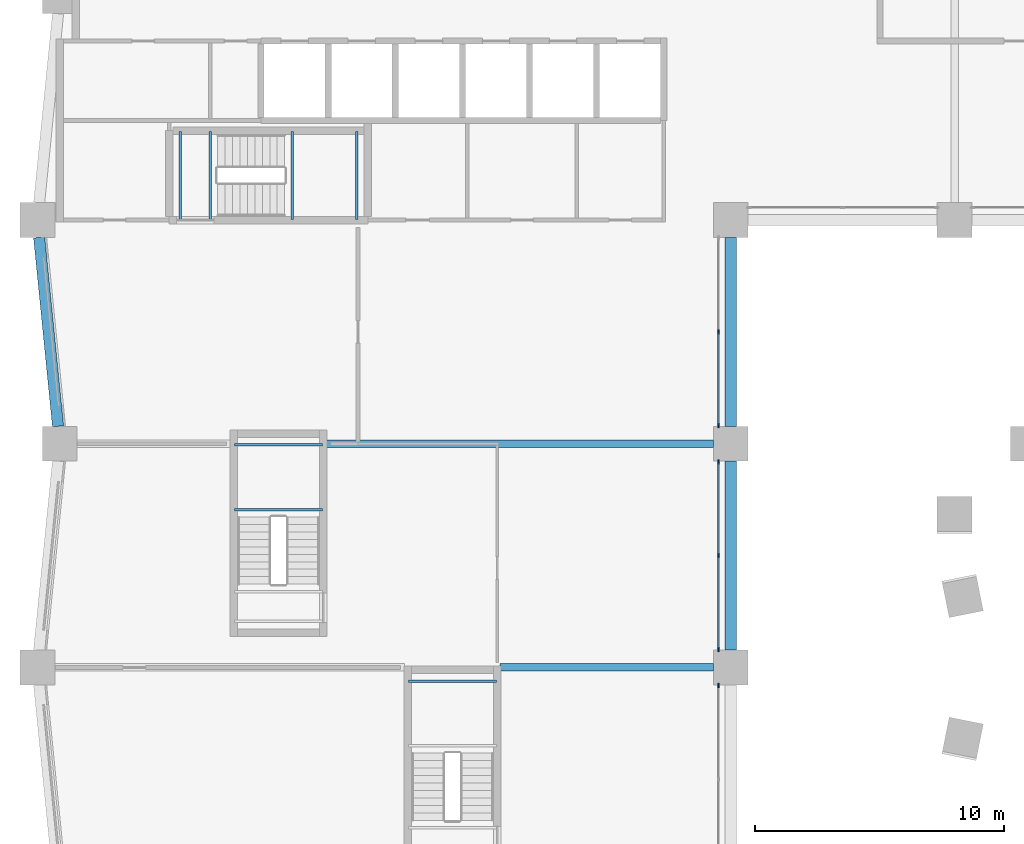
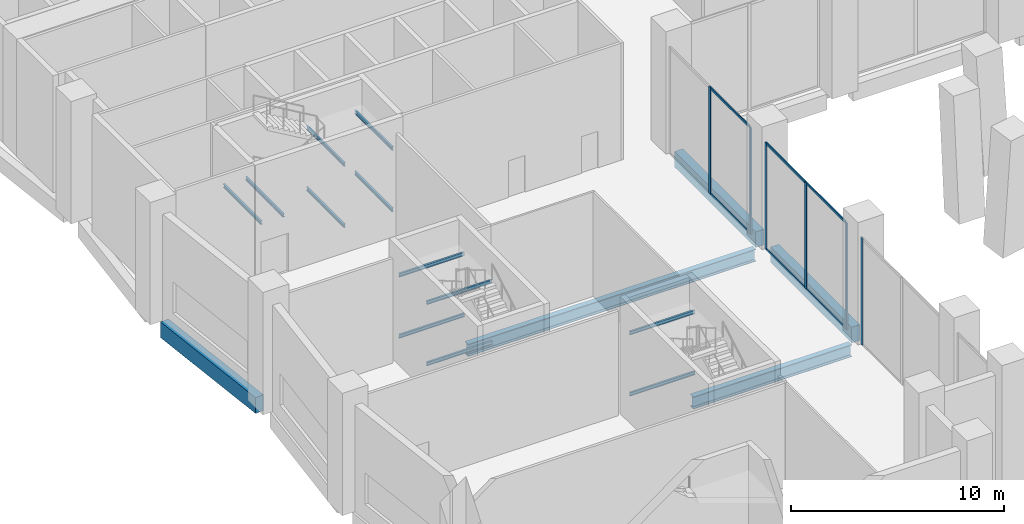
# One storey, part 3 of 18: 17 beams, 12 members, 3 elements without a shape of their own.
"""IFC4 building model written with IfcOpenShell, lengths in metres."""

import ifcopenshell
import ifcopenshell.guid

model = None  # the IFC model being written
_history = None  # IfcOwnerHistory: only IFC2X3 demands one
_inside = {}  # id of a spatial element -> (the spatial element, [elements in it])
_under = {}  # id of a project, library or spatial element -> (it, [spatial elements below it])
_declared = {}  # id of a project -> (the project, [libraries it declares])
_typed = {}  # id of a type object -> (the type object, [elements of that type])
_made_of = {}  # id of a material, layer set ... -> (it, [elements and type objects made of it])


def new_model(schema):
    """Start an empty IFC model of exactly this schema.

    Asked for "IFC4X3", IfcOpenShell would pick the latest addendum, in which some entities
    have other attributes; the version numbers below select the first issue.
    IFC2X3 requires an IfcOwnerHistory on every rooted entity: one is made here for all.
    """
    global model, _history
    if schema == "IFC4X3":
        model = ifcopenshell.file(schema_version=(4, 3, 0, 0))
    else:
        model = ifcopenshell.file(schema=schema)
    _inside.clear()
    _under.clear()
    _declared.clear()
    _typed.clear()
    _made_of.clear()
    _history = None
    if model.schema == "IFC2X3":
        org = make("IfcOrganization", Name="unknown")
        user = make(
            "IfcPersonAndOrganization",
            ThePerson=make("IfcPerson", FamilyName="unknown"),
            TheOrganization=org,
        )
        app = make(
            "IfcApplication",
            ApplicationDeveloper=org,
            Version="unknown",
            ApplicationFullName="unknown",
            ApplicationIdentifier="unknown",
        )
        _history = make(
            "IfcOwnerHistory",
            OwningUser=user,
            OwningApplication=app,
            ChangeAction="ADDED",
            CreationDate=0,
        )
    return model


def make(cls, **values):
    """One entity of the class cls with the attributes given. An attribute that is None is left unset."""
    return model.create_entity(
        cls, **{name: value for name, value in values.items() if value is not None}
    )


def rooted(cls, **values):
    """An entity with a GlobalId (a new one), such as an element, a storey or a relation."""
    return make(cls, GlobalId=ifcopenshell.guid.new(), OwnerHistory=_history, **values)


def si_unit(unit_type, name, prefix=None):
    """IfcSIUnit, for example si_unit("LENGTHUNIT", "METRE", prefix="MILLI")."""
    return make("IfcSIUnit", UnitType=unit_type, Prefix=prefix, Name=name)


def assignment(units):
    """IfcUnitAssignment: the units of a project."""
    return None if units is None else make("IfcUnitAssignment", Units=units)


def point(xyz):
    """IfcCartesianPoint."""
    return None if xyz is None else make("IfcCartesianPoint", Coordinates=xyz)


def direction(xyz):
    """IfcDirection."""
    return None if xyz is None else make("IfcDirection", DirectionRatios=xyz)


def frame(location, z_axis=None, x_axis=None):
    """IfcAxis2Placement3D, a coordinate frame: its origin and axes. An axis left out is left unset."""
    return make(
        "IfcAxis2Placement3D",
        Location=point(location),
        Axis=direction(z_axis),
        RefDirection=direction(x_axis),
    )


def frame_2d(location, x_axis=None):
    """IfcAxis2Placement2D, a coordinate frame in the plane: its origin and x axis."""
    return make(
        "IfcAxis2Placement2D", Location=point(location), RefDirection=direction(x_axis)
    )


def origin():
    """The frame at (0, 0, 0) with its axes left unset."""
    return frame((0.0, 0.0, 0.0))


def origin_2d():
    """The frame at (0, 0) in the plane with its x axis left unset."""
    return frame_2d((0.0, 0.0))


def place(relative_to, where):
    """IfcLocalPlacement: puts the frame where relative to a parent placement (None: the world)."""
    return make(
        "IfcLocalPlacement", PlacementRelTo=relative_to, RelativePlacement=where
    )


def context(
    kind, dimensions, precision=None, world=None, true_north=None, identifier=None
):
    """IfcGeometricRepresentationContext, for example the 3D "Model" context."""
    return make(
        "IfcGeometricRepresentationContext",
        ContextIdentifier=identifier,
        ContextType=kind,
        CoordinateSpaceDimension=dimensions,
        Precision=precision,
        WorldCoordinateSystem=world,
        TrueNorth=true_north,
    )


def subcontext(parent, identifier, kind, view, scale=None):
    """IfcGeometricRepresentationSubContext, for example "Body" below "Model"."""
    return make(
        "IfcGeometricRepresentationSubContext",
        ContextIdentifier=identifier,
        ContextType=kind,
        ParentContext=parent,
        TargetScale=scale,
        TargetView=view,
    )


def project(units=None, contexts=None):
    """IfcProject with its units and contexts."""
    return rooted(
        "IfcProject",
        Name="project",
        RepresentationContexts=contexts,
        UnitsInContext=assignment(units),
    )


def spatial(cls, under=None, at=None, **own):
    """A site, building, storey or space (cls), placed at a placement, below another one or the project."""
    s = rooted(cls, ObjectPlacement=at, **own)
    if under is not None:
        _under.setdefault(under.id(), (under, []))[1].append(s)
    return s


def profile(cls, at=None, kind="AREA", **sizes):
    """A parametric profile (cls). Its sizes go by their IFC names, for example OverallWidth=200.0."""
    return make(cls, ProfileType=kind, Position=at, **sizes)


def rectangle(**sizes):
    """IfcRectangleProfileDef."""
    return profile("IfcRectangleProfileDef", **sizes)


def i_section(**sizes):
    """IfcIShapeProfileDef."""
    return profile("IfcIShapeProfileDef", **sizes)


def extrude(swept, where, along, depth):
    """IfcExtrudedAreaSolid: the profile swept, set in the frame where, extruded along a direction by depth."""
    return make(
        "IfcExtrudedAreaSolid",
        SweptArea=swept,
        Position=where,
        ExtrudedDirection=direction(along),
        Depth=depth,
    )


def shape(context_of_items, identifier, shape_type, items):
    """IfcShapeRepresentation: the items that make up one representation, for example the "Body"."""
    return make(
        "IfcShapeRepresentation",
        ContextOfItems=context_of_items,
        RepresentationIdentifier=identifier,
        RepresentationType=shape_type,
        Items=items,
    )


def material(Name=None, Category=None):
    """IfcMaterial."""
    return make("IfcMaterial", Name=Name, Category=Category)


def material_profile(
    of_material, cross_section, Name=None, Category=None, Priority=None
):
    """IfcMaterialProfile: a cross section and its material."""
    return make(
        "IfcMaterialProfile",
        Name=Name,
        Material=of_material,
        Profile=cross_section,
        Priority=Priority,
        Category=Category,
    )


def profile_set(profiles, Name=None, composite=None):
    """IfcMaterialProfileSet."""
    return make(
        "IfcMaterialProfileSet",
        Name=Name,
        MaterialProfiles=profiles,
        CompositeProfile=composite,
    )


def made_of(thing, what):
    """Note that an element or type object is made of a material, layer set ...; save() writes the relation."""
    if what is not None:
        _made_of.setdefault(what.id(), (what, []))[1].append(thing)
    return thing


def type_object(cls, material=None, **own):
    """A type object (cls), such as IfcWallType, which elements share."""
    return made_of(rooted(cls, **own), material)


def element(
    cls,
    number,
    at=None,
    inside=None,
    cuts=None,
    type_object=None,
    material=None,
    context=None,
    identifier="Body",
    shape_type=None,
    held_by="IfcProductDefinitionShape",
    body=None,
    shapes=None,
    **own,
):
    """One element of the class cls, such as IfcWall. Its Tag is "e" and its number.

    at: its placement. inside: the storey or other place that contains it. cuts: it is an
    opening in that element (IfcRelVoidsElement). A single representation is given by context,
    identifier, shape_type and body (its items); several are given by shapes. held_by: the class
    of the entity that holds the representations. save() writes the other relations.
    """
    e = rooted(cls, Tag="e%d" % number, ObjectPlacement=at, **own)
    if body is not None:
        shapes = [shape(context, identifier, shape_type, body)]
    if shapes is not None:
        e.Representation = make(held_by, Representations=shapes)
    if inside is not None:
        _inside.setdefault(inside.id(), (inside, []))[1].append(e)
    if cuts is not None:
        rooted(
            "IfcRelVoidsElement", RelatingBuildingElement=cuts, RelatedOpeningElement=e
        )
    if type_object is not None:
        _typed.setdefault(type_object.id(), (type_object, []))[1].append(e)
    return made_of(e, material)


def aggregate(whole, parts):
    """IfcRelAggregates: a whole, such as a stair, and the parts it consists of."""
    return rooted("IfcRelAggregates", RelatingObject=whole, RelatedObjects=parts)


def save(model, path):
    """Write the relations noted so far, then the file.

    IfcRelAggregates (storeys below a building ...), IfcRelContainedInSpatialStructure (elements
    in a storey), IfcRelDefinesByType, IfcRelAssociatesMaterial and IfcRelDeclares: one each for
    every whole, place, type object, material and project.
    """
    for whole, parts in _under.values():
        aggregate(whole, parts)
    for where, things in _inside.values():
        rooted(
            "IfcRelContainedInSpatialStructure",
            RelatedElements=things,
            RelatingStructure=where,
        )
    for kind, things in _typed.values():
        rooted("IfcRelDefinesByType", RelatedObjects=things, RelatingType=kind)
    for what, things in _made_of.values():
        rooted("IfcRelAssociatesMaterial", RelatedObjects=things, RelatingMaterial=what)
    for by, libraries in _declared.values():
        rooted("IfcRelDeclares", RelatingContext=by, RelatedDefinitions=libraries)
    model.write(path)


model = new_model("IFC4")

# Units and contexts
model_context = context("Model", 3, precision=1e-05, world=origin(), true_north=direction((0.0, 1.0)))
body_context = subcontext(model_context, "Body", "Model", "MODEL_VIEW")
ifc_project = project(units=[si_unit("LENGTHUNIT", "METRE"), si_unit("AREAUNIT", "SQUARE_METRE"), si_unit("VOLUMEUNIT", "CUBIC_METRE"), si_unit("PLANEANGLEUNIT", "RADIAN"), si_unit("MASSUNIT", "GRAM", prefix="KILO")], contexts=[model_context])

# Site, building, storey
site_placement = place(None, origin())
site = spatial("IfcSite", under=ifc_project, at=site_placement, CompositionType="ELEMENT")
building_placement = place(site_placement, origin())
building = spatial("IfcBuilding", under=site, at=building_placement, Name="Brondeck Convention Tower", CompositionType="ELEMENT")
storey_placement = place(building_placement, frame((0.0, 0.0, 7.5)))
storey = spatial("IfcBuildingStorey", under=building, at=storey_placement, Name="L01", CompositionType="ELEMENT", Elevation=7.5)

# Curtain wall, member
ifc_material_1 = material(Name="Aluminium, bronze anodised", Category="aluminium")
curtain_wall_type = type_object("IfcCurtainWallType", Name="Podium hall curtain wall", PredefinedType="NOTDEFINED", material=ifc_material_1)
curtain_wall_1_placement = place(storey_placement, origin())
curtain_wall_1 = element("IfcCurtainWall", 1, at=curtain_wall_1_placement, inside=storey, type_object=curtain_wall_type, Name="ENV-CW2-L01-B-E-05", PredefinedType="NOTDEFINED")
ifc_material_profile_1 = material_profile(ifc_material_1, rectangle(XDim=0.06005859375, YDim=0.179931640625, at=origin_2d()), Name="CW2 mullion")
ifc_profile_set_1 = profile_set([ifc_material_profile_1], Name="Aluminium, bronze anodised")
member_type_1 = type_object("IfcMemberType", Name="CW2 mullion", PredefinedType="MULLION", material=ifc_profile_set_1)
member_1_placement = place(storey_placement, frame((26.5, 17.27001953125, 0.0), z_axis=(0.0, 0.0, 1.0), x_axis=(1.0, 0.0, 0.0)))
member_1 = element("IfcMember", 2, at=member_1_placement, type_object=member_type_1, Name="CW2 mullion 1", PredefinedType="MULLION", context=body_context, shape_type="SweptSolid", body=[
    extrude(rectangle(XDim=0.06005859375, YDim=0.179931640625, at=origin_2d()), origin(), (0.0, 0.0, 1.0), 6.10009765625),
])
aggregate(curtain_wall_1, [member_1])

# Curtain wall, members
curtain_wall_2_placement = place(storey_placement, origin())
curtain_wall_2 = element("IfcCurtainWall", 3, at=curtain_wall_2_placement, inside=storey, type_object=curtain_wall_type, Name="ENV-CW2-L01-B-E-03", PredefinedType="NOTDEFINED")
member_2_placement = place(storey_placement, frame((26.5, 26.27001953125, 0.0), z_axis=(0.0, 0.0, 1.0), x_axis=(1.0, 0.0, 0.0)))
member_2 = element("IfcMember", 4, at=member_2_placement, type_object=member_type_1, Name="CW2 mullion 1", PredefinedType="MULLION", context=body_context, shape_type="SweptSolid", body=[
    extrude(rectangle(XDim=0.06005859375, YDim=0.179931640625, at=origin_2d()), origin(), (0.0, 0.0, 1.0), 6.10009765625),
])
member_3_placement = place(storey_placement, frame((26.5, 22.5, 0.0), z_axis=(0.0, 0.0, 1.0), x_axis=(1.0, 0.0, 0.0)))
member_3 = element("IfcMember", 5, at=member_3_placement, type_object=member_type_1, Name="CW2 mullion 2", PredefinedType="MULLION", context=body_context, shape_type="SweptSolid", body=[
    extrude(rectangle(XDim=0.06005859375, YDim=0.179931640625, at=origin_2d()), origin(), (0.0, 0.0, 1.0), 6.10009765625),
])
member_4_placement = place(storey_placement, frame((26.5, 18.72998046875, 0.0), z_axis=(0.0, 0.0, 1.0), x_axis=(1.0, 0.0, 0.0)))
member_4 = element("IfcMember", 6, at=member_4_placement, type_object=member_type_1, Name="CW2 mullion 3", PredefinedType="MULLION", context=body_context, shape_type="SweptSolid", body=[
    extrude(rectangle(XDim=0.06005859375, YDim=0.179931640625, at=origin_2d()), origin(), (0.0, 0.0, 1.0), 6.10009765625),
])

curtain_wall_3_placement = place(storey_placement, origin())
curtain_wall_3 = element("IfcCurtainWall", 7, at=curtain_wall_3_placement, inside=storey, type_object=curtain_wall_type, Name="ENV-CW2-L01-B-E-01", PredefinedType="NOTDEFINED")
member_5_placement = place(storey_placement, frame((26.5, 31.5, 0.0), z_axis=(0.0, 0.0, 1.0), x_axis=(1.0, 0.0, 0.0)))
member_5 = element("IfcMember", 8, at=member_5_placement, type_object=member_type_1, Name="CW2 mullion 2", PredefinedType="MULLION", context=body_context, shape_type="SweptSolid", body=[
    extrude(rectangle(XDim=0.06005859375, YDim=0.179931640625, at=origin_2d()), origin(), (0.0, 0.0, 1.0), 6.10009765625),
])
member_6_placement = place(storey_placement, frame((26.5, 27.72998046875, 0.0), z_axis=(0.0, 0.0, 1.0), x_axis=(1.0, 0.0, 0.0)))
member_6 = element("IfcMember", 9, at=member_6_placement, type_object=member_type_1, Name="CW2 mullion 3", PredefinedType="MULLION", context=body_context, shape_type="SweptSolid", body=[
    extrude(rectangle(XDim=0.06005859375, YDim=0.179931640625, at=origin_2d()), origin(), (0.0, 0.0, 1.0), 6.10009765625),
])

# Member
ifc_material_profile_2 = material_profile(ifc_material_1, rectangle(XDim=0.06005859375, YDim=0.139892578125, at=origin_2d()), Name="CW2 transom")
ifc_profile_set_2 = profile_set([ifc_material_profile_2], Name="Aluminium, bronze anodised")
member_type_2 = type_object("IfcMemberType", Name="CW2 transom", PredefinedType="USERDEFINED", material=ifc_profile_set_2)
member_7_placement = place(storey_placement, frame((26.5, 26.239990234375, 0.030029296875), z_axis=(0.0, -1.0, 0.0), x_axis=(1.0, 0.0, 0.0)))
member_7 = element("IfcMember", 10, at=member_7_placement, type_object=member_type_2, Name="CW2 transom 1.1", ObjectType="TRANSOM", PredefinedType="USERDEFINED", context=body_context, shape_type="SweptSolid", body=[
    extrude(rectangle(XDim=0.06005859375, YDim=0.139892578125, at=origin_2d()), origin(), (0.0, 0.0, 1.0), 3.7099609375),
])

member_8_placement = place(storey_placement, frame((26.5, 26.239990234375, 6.070068359375), z_axis=(0.0, -1.0, 0.0), x_axis=(1.0, 0.0, 0.0)))
member_8 = element("IfcMember", 11, at=member_8_placement, type_object=member_type_2, Name="CW2 transom 1.2", ObjectType="TRANSOM", PredefinedType="USERDEFINED", context=body_context, shape_type="SweptSolid", body=[
    extrude(rectangle(XDim=0.06005859375, YDim=0.139892578125, at=origin_2d()), origin(), (0.0, 0.0, 1.0), 3.7099609375),
])

member_9_placement = place(storey_placement, frame((26.5, 22.469970703125, 0.030029296875), z_axis=(0.0, -1.0, 0.0), x_axis=(1.0, 0.0, 0.0)))
member_9 = element("IfcMember", 12, at=member_9_placement, type_object=member_type_2, Name="CW2 transom 2.1", ObjectType="TRANSOM", PredefinedType="USERDEFINED", context=body_context, shape_type="SweptSolid", body=[
    extrude(rectangle(XDim=0.06005859375, YDim=0.139892578125, at=origin_2d()), origin(), (0.0, 0.0, 1.0), 3.7099609375),
])

member_10_placement = place(storey_placement, frame((26.5, 22.469970703125, 6.070068359375), z_axis=(0.0, -1.0, 0.0), x_axis=(1.0, 0.0, 0.0)))
member_10 = element("IfcMember", 13, at=member_10_placement, type_object=member_type_2, Name="CW2 transom 2.2", ObjectType="TRANSOM", PredefinedType="USERDEFINED", context=body_context, shape_type="SweptSolid", body=[
    extrude(rectangle(XDim=0.06005859375, YDim=0.139892578125, at=origin_2d()), origin(), (0.0, 0.0, 1.0), 3.7099609375),
])

aggregate(curtain_wall_2, [member_2, member_3, member_4, member_7, member_8, member_9, member_10])

member_11_placement = place(storey_placement, frame((26.5, 31.469970703125, 0.030029296875), z_axis=(0.0, -1.0, 0.0), x_axis=(1.0, 0.0, 0.0)))
member_11 = element("IfcMember", 14, at=member_11_placement, type_object=member_type_2, Name="CW2 transom 2.1", ObjectType="TRANSOM", PredefinedType="USERDEFINED", context=body_context, shape_type="SweptSolid", body=[
    extrude(rectangle(XDim=0.06005859375, YDim=0.139892578125, at=origin_2d()), origin(), (0.0, 0.0, 1.0), 3.7099609375),
])

member_12_placement = place(storey_placement, frame((26.5, 31.469970703125, 6.070068359375), z_axis=(0.0, -1.0, 0.0), x_axis=(1.0, 0.0, 0.0)))
member_12 = element("IfcMember", 15, at=member_12_placement, type_object=member_type_2, Name="CW2 transom 2.2", ObjectType="TRANSOM", PredefinedType="USERDEFINED", context=body_context, shape_type="SweptSolid", body=[
    extrude(rectangle(XDim=0.06005859375, YDim=0.139892578125, at=origin_2d()), origin(), (0.0, 0.0, 1.0), 3.7099609375),
])

aggregate(curtain_wall_3, [member_5, member_6, member_11, member_12])

# Beams
ifc_material_2 = material(Name="Concrete C80/95", Category="concrete")
ifc_material_profile_3 = material_profile(ifc_material_2, rectangle(XDim=0.449951171875, YDim=0.89990234375, at=origin_2d()), Name="Edge beam 450x900 Concrete C80/95")
ifc_profile_set_3 = profile_set([ifc_material_profile_3], Name="Concrete C80/95")
beam_type_1 = type_object("IfcBeamType", Name="Edge beam 450x900 Concrete C80/95", PredefinedType="BEAM", material=ifc_profile_set_3)
for number, where, z_axis, x_axis, name in (
    (16, (27.0, 18.699951171875, -0.449951171875), (0.0, 1.0, 0.0), (-1.0, 0.0, 0.0), "STR-SP-L01-007"),
    (17, (27.0, 27.699951171875, -0.449951171875), (0.0, 1.0, 0.0), (-1.0, 0.0, 0.0), "STR-SP-L01-008"),
):
    element("IfcBeam", number, at=place(storey_placement, frame(where, z_axis=z_axis, x_axis=x_axis)), inside=storey, type_object=beam_type_1, Name=name, PredefinedType="BEAM", context=body_context, shape_type="SweptSolid", body=[
        extrude(rectangle(XDim=0.449951171875, YDim=0.89990234375, at=origin_2d()), origin(), (0.0, 0.0, 1.0), 7.60009765625),
    ])
beam_1_placement = place(storey_placement, frame((-0.830078125, 35.300048828125, -0.449951171875), z_axis=(0.099503719021, -0.99503719021, 0.0), x_axis=(0.99503719021, 0.099503719021, 0.0)))
element("IfcBeam", 18, at=beam_1_placement, inside=storey, type_object=beam_type_1, Name="STR-SP-L01-033", PredefinedType="BEAM", context=body_context, shape_type="SweptSolid", body=[
    extrude(rectangle(XDim=0.449951171875, YDim=0.89990234375, at=origin_2d()), origin(), (0.0, 0.0, 1.0), 7.637939453125),
])
ifc_material_3 = material(Name="Steel S355", Category="steel")
ifc_material_profile_4 = material_profile(ifc_material_3, i_section(OverallWidth=0.300048828125, OverallDepth=0.699951171875, WebThickness=0.01708984375, FlangeThickness=0.031982421875, FilletRadius=0.027099609375, at=origin_2d()), Name="HEB 700")
ifc_profile_set_4 = profile_set([ifc_material_profile_4], Name="Steel S355")
beam_type_2 = type_object("IfcBeamType", Name="Girder HEB 700", PredefinedType="BEAM", material=ifc_profile_set_4)
beam_2_placement = place(storey_placement, frame((17.719970703125, 18.0, -0.64990234375), z_axis=(1.0, 0.0, 0.0), x_axis=(0.0, 1.0, 0.0)))
element("IfcBeam", 19, at=beam_2_placement, inside=storey, type_object=beam_type_2, Name="STR-GR-L01-009", PredefinedType="BEAM", context=body_context, shape_type="SweptSolid", body=[
    extrude(i_section(OverallWidth=0.300048828125, OverallDepth=0.699951171875, WebThickness=0.01708984375, FlangeThickness=0.031982421875, FilletRadius=0.027099609375, at=origin_2d()), origin(), (0.0, 0.0, 1.0), 8.580078125),
])
beam_3_placement = place(storey_placement, frame((10.719970703125, 27.0, -0.64990234375), z_axis=(1.0, 0.0, 0.0), x_axis=(0.0, 1.0, 0.0)))
element("IfcBeam", 20, at=beam_3_placement, inside=storey, type_object=beam_type_2, Name="STR-GR-L01-011", PredefinedType="BEAM", context=body_context, shape_type="SweptSolid", body=[
    extrude(i_section(OverallWidth=0.300048828125, OverallDepth=0.699951171875, WebThickness=0.01708984375, FlangeThickness=0.031982421875, FilletRadius=0.027099609375, at=origin_2d()), origin(), (0.0, 0.0, 1.0), 15.580078125),
])
ifc_material_profile_5 = material_profile(ifc_material_3, i_section(OverallWidth=0.10009765625, OverallDepth=0.199951171875, WebThickness=0.005615234375, FlangeThickness=0.008544921875, FilletRadius=0.011962890625, at=origin_2d()), Name="IPE200")
ifc_profile_set_5 = profile_set([ifc_material_profile_5], Name="Steel S355")
beam_type_3 = type_object("IfcBeamType", Name="Landing ledger beam IPE 200", PredefinedType="BEAM", material=ifc_profile_set_5)
for number, where, z_axis, x_axis, name in (
    (21, (9.35009765625, 36.030029296875, 1.39990234375), (0.0, 1.0, 0.0), (-1.0, 0.0, 0.0), "L01 ST-1 landing beam"),
    (22, (11.949951171875, 36.030029296875, 1.39990234375), (0.0, 1.0, 0.0), (-1.0, 0.0, 0.0), "L01 ST-1 landing beam"),
    (23, (4.85009765625, 36.030029296875, 3.14990234375), (0.0, 1.0, 0.0), (-1.0, 0.0, 0.0), "L01 ST-1 landing beam"),
    (24, (6.050048828125, 36.030029296875, 3.14990234375), (0.0, 1.0, 0.0), (-1.0, 0.0, 0.0), "L01 ST-1 landing beam"),
    (25, (9.35009765625, 36.030029296875, 4.89990234375), (0.0, 1.0, 0.0), (-1.0, 0.0, 0.0), "L01 ST-1 landing beam"),
    (26, (11.949951171875, 36.030029296875, 4.89990234375), (0.0, 1.0, 0.0), (-1.0, 0.0, 0.0), "L01 ST-1 landing beam"),
    (27, (10.570068359375, 24.35009765625, 1.39990234375), (-1.0, 0.0, 0.0), (0.0, -1.0, 0.0), "L01 ST-BE landing beam"),
    (28, (10.570068359375, 26.949951171875, 1.39990234375), (-1.0, 0.0, 0.0), (0.0, -1.0, 0.0), "L01 ST-BE landing beam"),
    (29, (10.570068359375, 24.35009765625, 4.89990234375), (-1.0, 0.0, 0.0), (0.0, -1.0, 0.0), "L01 ST-BE landing beam"),
    (30, (10.570068359375, 26.949951171875, 4.89990234375), (-1.0, 0.0, 0.0), (0.0, -1.0, 0.0), "L01 ST-BE landing beam"),
    (31, (17.570068359375, 17.449951171875, 1.39990234375), (-1.0, 0.0, 0.0), (0.0, -1.0, 0.0), "L01 ST-BF landing beam"),
    (32, (17.570068359375, 17.449951171875, 4.89990234375), (-1.0, 0.0, 0.0), (0.0, -1.0, 0.0), "L01 ST-BF landing beam"),
):
    element("IfcBeam", number, at=place(storey_placement, frame(where, z_axis=z_axis, x_axis=x_axis)), inside=storey, type_object=beam_type_3, Name=name, PredefinedType="BEAM", context=body_context, shape_type="SweptSolid", body=[
        extrude(i_section(OverallWidth=0.10009765625, OverallDepth=0.199951171875, WebThickness=0.005615234375, FlangeThickness=0.008544921875, FilletRadius=0.011962890625, at=origin_2d()), origin(), (0.0, 0.0, 1.0), 3.5400390625),
    ])

save(model, "model.ifc")
